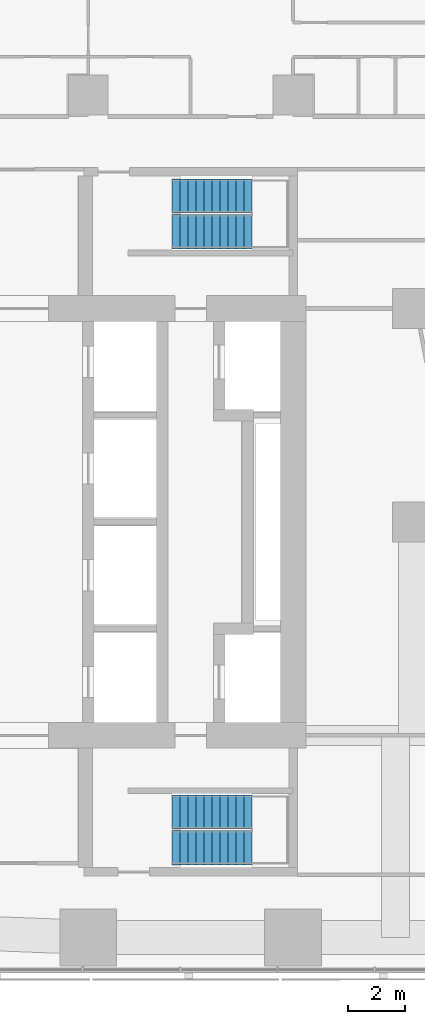
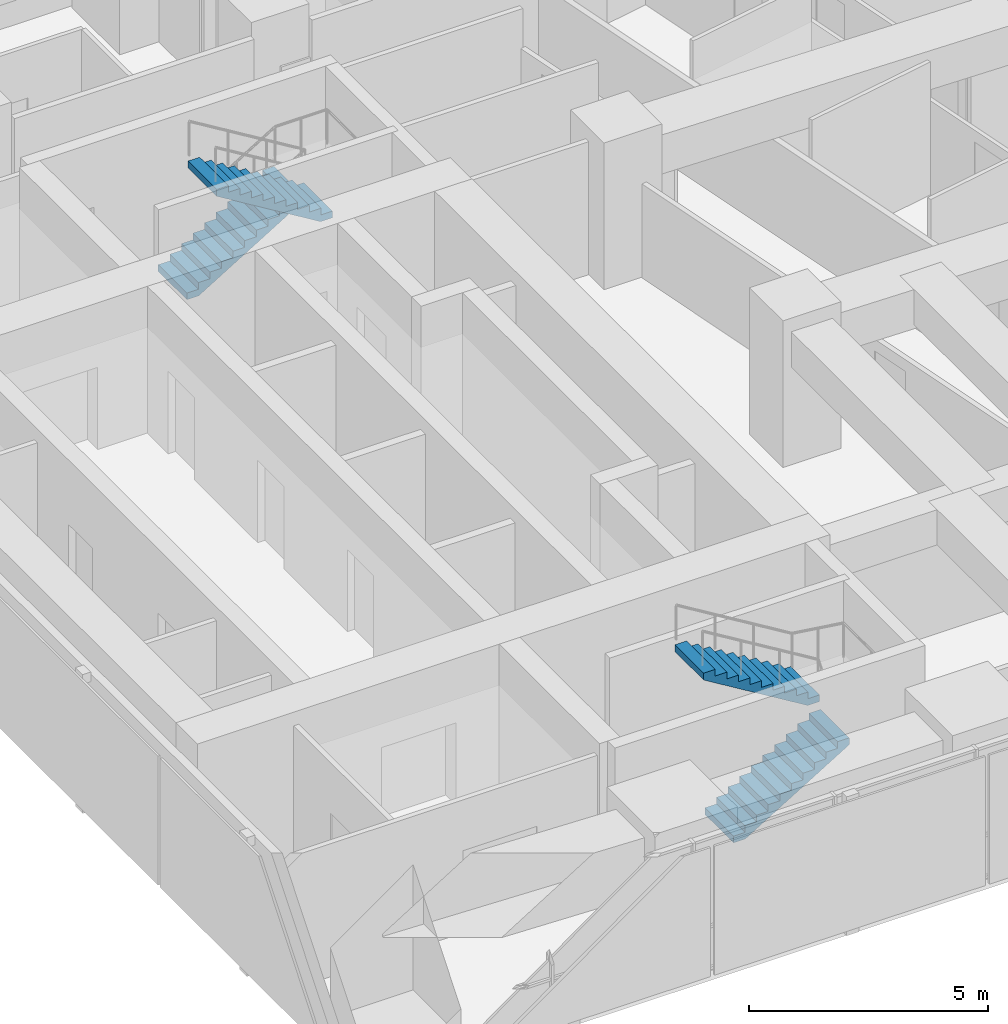
# One storey, part 9 of 10: 4 stair flights, 2 elements without a shape of their own.
"""IFC4 building model written with IfcOpenShell, lengths in metres."""

from ifc_helpers import new_model, si_unit, direction, frame, origin, place, context, subcontext, project, spatial, triangles, material, type_object, element, aggregate, save


model = new_model("IFC4")

# Units and contexts
model_context = context("Model", 3, precision=1e-05, world=origin(), true_north=direction((0.0, 1.0)))
body_context = subcontext(model_context, "Body", "Model", "MODEL_VIEW")
ifc_project = project(units=[si_unit("LENGTHUNIT", "METRE"), si_unit("AREAUNIT", "SQUARE_METRE"), si_unit("VOLUMEUNIT", "CUBIC_METRE"), si_unit("PLANEANGLEUNIT", "RADIAN"), si_unit("MASSUNIT", "GRAM", prefix="KILO")], contexts=[model_context])

# Site, building, storey
site_placement = place(None, origin())
site = spatial("IfcSite", under=ifc_project, at=site_placement, CompositionType="ELEMENT")
building_placement = place(site_placement, origin())
building = spatial("IfcBuilding", under=site, at=building_placement, Name="Sheger Commons Tower", CompositionType="ELEMENT")
storey_placement = place(building_placement, frame((0.0, 0.0, 292.85009765625)))
storey = spatial("IfcBuildingStorey", under=building, at=storey_placement, Name="L75", CompositionType="ELEMENT", Elevation=292.85009765625)

# Stair, stair flights
ifc_material_1 = material(Name="Concrete C35/45", Category="concrete")
stair_type = type_object("IfcStairType", Name="HALF-TURN STAIR 1200 RISE 3750", PredefinedType="HALF_TURN_STAIR", material=ifc_material_1)
stair_1_placement = place(storey_placement, origin())
stair_1 = element("IfcStair", 1, at=stair_1_placement, inside=storey, type_object=stair_type, Name="Stair S1 L75", PredefinedType="HALF_TURN_STAIR")
ifc_material_2 = material(Name="Concrete C35/45", Category="concrete")
stair_flight_type = type_object("IfcStairFlightType", Name="STAIR FLIGHT 1200 11 RISERS OF 170", PredefinedType="STRAIGHT", material=ifc_material_2)
stair_flight_1_placement = place(storey_placement, frame((24.550048828125, 11.050048828125, 0.0), z_axis=(0.0, 0.0, 1.0), x_axis=(1.0, 0.0, 0.0)))
stair_flight_1 = element("IfcStairFlight", 2, at=stair_flight_1_placement, type_object=stair_flight_type, Name="S1 flight 1", NumberOfRisers=11, NumberOfTreads=10, PredefinedType="STRAIGHT", RiserHeight=0.170454545, TreadLength=0.28, context=body_context, shape_type="Tessellation", body=[
    triangles([(0.0, 0.5999755859375, 0.0), (0.0, 0.5999755859375, 0.17041015625), (0.280029296875, 0.5999755859375, 0.17041015625), (0.280029296875, 0.5999755859375, 0.3408203125), (0.56005859375, 0.5999755859375, 0.3408203125), (0.56005859375, 0.5999755859375, 0.511474609375), (0.840087890625, 0.5999755859375, 0.511474609375), (0.840087890625, 0.5999755859375, 0.681884765625), (1.1201171875, 0.5999755859375, 0.681884765625), (1.1201171875, 0.5999755859375, 0.852294921875), (1.39990234375, 0.5999755859375, 0.852294921875), (1.39990234375, 0.5999755859375, 1.022705078125), (1.679931640625, 0.5999755859375, 1.022705078125), (1.679931640625, 0.5999755859375, 1.193115234375), (1.9599609375, 0.5999755859375, 1.193115234375), (1.9599609375, 0.5999755859375, 1.363525390625), (2.239990234375, 0.5999755859375, 1.363525390625), (2.239990234375, 0.5999755859375, 1.5341796875), (2.52001953125, 0.5999755859375, 1.5341796875), (2.52001953125, 0.5999755859375, 1.70458984375), (2.800048828125, 0.5999755859375, 1.70458984375), (2.800048828125, 0.5999755859375, 1.529052734375), (0.288330078125, 0.5999755859375, 0.0), (0.0, -0.5999755859375, 0.0), (0.0, -0.5999755859375, 0.17041015625), (0.280029296875, -0.5999755859375, 0.17041015625), (0.280029296875, -0.5999755859375, 0.3408203125), (0.56005859375, -0.5999755859375, 0.3408203125), (0.56005859375, -0.5999755859375, 0.511474609375), (0.840087890625, -0.5999755859375, 0.511474609375), (0.840087890625, -0.5999755859375, 0.681884765625), (1.1201171875, -0.5999755859375, 0.681884765625), (1.1201171875, -0.5999755859375, 0.852294921875), (1.39990234375, -0.5999755859375, 0.852294921875), (1.39990234375, -0.5999755859375, 1.022705078125), (1.679931640625, -0.5999755859375, 1.022705078125), (1.679931640625, -0.5999755859375, 1.193115234375), (1.9599609375, -0.5999755859375, 1.193115234375), (1.9599609375, -0.5999755859375, 1.363525390625), (2.239990234375, -0.5999755859375, 1.363525390625), (2.239990234375, -0.5999755859375, 1.5341796875), (2.52001953125, -0.5999755859375, 1.5341796875), (2.52001953125, -0.5999755859375, 1.70458984375), (2.800048828125, -0.5999755859375, 1.70458984375), (2.800048828125, -0.5999755859375, 1.529052734375), (0.288330078125, -0.5999755859375, 0.0), (0.0, 0.0, 0.085205078125), (0.1400146484375, 0.0, 0.17041015625), (0.280029296875, 0.0, 0.255615234375), (0.4200439453125, 0.0, 0.3408203125), (0.56005859375, 0.0, 0.4261474609375), (0.7000732421875, 0.0, 0.511474609375), (0.840087890625, 0.0, 0.5966796875), (0.9801025390625, 0.0, 0.681884765625), (1.1201171875, 0.0, 0.76708984375), (1.260009765625, 0.0, 0.852294921875), (1.39990234375, 0.0, 0.9375), (1.5399169921875, 0.0, 1.022705078125), (1.679931640625, 0.0, 1.10791015625), (1.8199462890625, 0.0, 1.193115234375), (1.9599609375, 0.0, 1.2783203125), (2.0999755859375, 0.0, 1.363525390625), (2.239990234375, 0.0, 1.4488525390625), (2.3800048828125, 0.0, 1.5341796875), (2.52001953125, 0.0, 1.619384765625), (2.6600341796875, 0.0, 1.70458984375), (2.800048828125, 0.0, 1.6168212890625), (1.544189453125, 0.0, 0.7645263671875), (0.1441650390625, 0.0, 0.0)], [[1, 22, 23], [24, 46, 45], [22, 20, 21], [45, 44, 43], [22, 19, 20], [45, 43, 42], [22, 18, 19], [45, 42, 41], [22, 17, 18], [45, 41, 40], [17, 15, 16], [40, 39, 38], [22, 15, 17], [45, 40, 38], [15, 13, 14], [38, 37, 36], [22, 13, 15], [45, 38, 36], [13, 11, 12], [36, 35, 34], [22, 11, 13], [45, 36, 34], [11, 9, 10], [34, 33, 32], [22, 9, 11], [45, 34, 32], [9, 7, 8], [32, 31, 30], [22, 7, 9], [45, 32, 30], [7, 5, 6], [30, 29, 28], [22, 5, 7], [45, 30, 28], [5, 3, 4], [28, 27, 26], [22, 3, 5], [45, 28, 26], [1, 3, 22], [24, 45, 26], [3, 1, 2], [26, 25, 24], [1, 47, 2], [2, 47, 25], [25, 47, 24], [24, 47, 1], [2, 48, 3], [3, 48, 26], [26, 48, 25], [25, 48, 2], [3, 49, 4], [4, 49, 27], [27, 49, 26], [26, 49, 3], [4, 50, 5], [5, 50, 28], [28, 50, 27], [27, 50, 4], [5, 51, 6], [6, 51, 29], [29, 51, 28], [28, 51, 5], [6, 52, 7], [7, 52, 30], [30, 52, 29], [29, 52, 6], [7, 53, 8], [8, 53, 31], [31, 53, 30], [30, 53, 7], [8, 54, 9], [9, 54, 32], [32, 54, 31], [31, 54, 8], [9, 55, 10], [10, 55, 33], [33, 55, 32], [32, 55, 9], [10, 56, 11], [11, 56, 34], [34, 56, 33], [33, 56, 10], [11, 57, 12], [12, 57, 35], [35, 57, 34], [34, 57, 11], [12, 58, 13], [13, 58, 36], [36, 58, 35], [35, 58, 12], [13, 59, 14], [14, 59, 37], [37, 59, 36], [36, 59, 13], [14, 60, 15], [15, 60, 38], [38, 60, 37], [37, 60, 14], [15, 61, 16], [16, 61, 39], [39, 61, 38], [38, 61, 15], [16, 62, 17], [17, 62, 40], [40, 62, 39], [39, 62, 16], [17, 63, 18], [18, 63, 41], [41, 63, 40], [40, 63, 17], [18, 64, 19], [19, 64, 42], [42, 64, 41], [41, 64, 18], [19, 65, 20], [20, 65, 43], [43, 65, 42], [42, 65, 19], [20, 66, 21], [21, 66, 44], [44, 66, 43], [43, 66, 20], [21, 67, 22], [22, 67, 45], [45, 67, 44], [44, 67, 21], [22, 68, 23], [23, 68, 46], [46, 68, 45], [45, 68, 22], [23, 69, 1], [1, 69, 24], [24, 69, 46], [46, 69, 23]], closed=True),
])
stair_flight_2_placement = place(storey_placement, frame((27.35009765625, 12.300048828125, 1.875), z_axis=(0.0, 0.0, 1.0), x_axis=(-1.0, 0.0, 0.0)))
stair_flight_2 = element("IfcStairFlight", 3, at=stair_flight_2_placement, type_object=stair_flight_type, Name="S1 flight 2", NumberOfRisers=11, NumberOfTreads=10, PredefinedType="STRAIGHT", RiserHeight=0.170454545, TreadLength=0.28, context=body_context, shape_type="Tessellation", body=[
    triangles([(0.0, 0.5999755859375, 0.0), (0.0, 0.5999755859375, 0.17041015625), (0.280029296875, 0.5999755859375, 0.17041015625), (0.280029296875, 0.5999755859375, 0.3408203125), (0.56005859375, 0.5999755859375, 0.3408203125), (0.56005859375, 0.5999755859375, 0.511474609375), (0.840087890625, 0.5999755859375, 0.511474609375), (0.840087890625, 0.5999755859375, 0.681884765625), (1.1201171875, 0.5999755859375, 0.681884765625), (1.1201171875, 0.5999755859375, 0.852294921875), (1.39990234375, 0.5999755859375, 0.852294921875), (1.39990234375, 0.5999755859375, 1.022705078125), (1.679931640625, 0.5999755859375, 1.022705078125), (1.679931640625, 0.5999755859375, 1.193115234375), (1.9599609375, 0.5999755859375, 1.193115234375), (1.9599609375, 0.5999755859375, 1.363525390625), (2.239990234375, 0.5999755859375, 1.363525390625), (2.239990234375, 0.5999755859375, 1.5341796875), (2.52001953125, 0.5999755859375, 1.5341796875), (2.52001953125, 0.5999755859375, 1.70458984375), (2.800048828125, 0.5999755859375, 1.70458984375), (2.800048828125, 0.5999755859375, 1.529052734375), (0.288330078125, 0.5999755859375, 0.0), (0.0, -0.5999755859375, 0.0), (0.0, -0.5999755859375, 0.17041015625), (0.280029296875, -0.5999755859375, 0.17041015625), (0.280029296875, -0.5999755859375, 0.3408203125), (0.56005859375, -0.5999755859375, 0.3408203125), (0.56005859375, -0.5999755859375, 0.511474609375), (0.840087890625, -0.5999755859375, 0.511474609375), (0.840087890625, -0.5999755859375, 0.681884765625), (1.1201171875, -0.5999755859375, 0.681884765625), (1.1201171875, -0.5999755859375, 0.852294921875), (1.39990234375, -0.5999755859375, 0.852294921875), (1.39990234375, -0.5999755859375, 1.022705078125), (1.679931640625, -0.5999755859375, 1.022705078125), (1.679931640625, -0.5999755859375, 1.193115234375), (1.9599609375, -0.5999755859375, 1.193115234375), (1.9599609375, -0.5999755859375, 1.363525390625), (2.239990234375, -0.5999755859375, 1.363525390625), (2.239990234375, -0.5999755859375, 1.5341796875), (2.52001953125, -0.5999755859375, 1.5341796875), (2.52001953125, -0.5999755859375, 1.70458984375), (2.800048828125, -0.5999755859375, 1.70458984375), (2.800048828125, -0.5999755859375, 1.529052734375), (0.288330078125, -0.5999755859375, 0.0), (0.0, 0.0, 0.085205078125), (0.1400146484375, 0.0, 0.17041015625), (0.280029296875, 0.0, 0.255615234375), (0.4200439453125, 0.0, 0.3408203125), (0.56005859375, 0.0, 0.4261474609375), (0.7000732421875, 0.0, 0.511474609375), (0.840087890625, 0.0, 0.5966796875), (0.9801025390625, 0.0, 0.681884765625), (1.1201171875, 0.0, 0.76708984375), (1.260009765625, 0.0, 0.852294921875), (1.39990234375, 0.0, 0.9375), (1.5399169921875, 0.0, 1.022705078125), (1.679931640625, 0.0, 1.10791015625), (1.8199462890625, 0.0, 1.193115234375), (1.9599609375, 0.0, 1.2783203125), (2.0999755859375, 0.0, 1.363525390625), (2.239990234375, 0.0, 1.4488525390625), (2.3800048828125, 0.0, 1.5341796875), (2.52001953125, 0.0, 1.619384765625), (2.6600341796875, 0.0, 1.70458984375), (2.800048828125, 0.0, 1.6168212890625), (1.544189453125, 0.0, 0.7645263671875), (0.1441650390625, 0.0, 0.0)], [[1, 22, 23], [24, 46, 45], [22, 20, 21], [45, 44, 43], [22, 19, 20], [45, 43, 42], [22, 18, 19], [45, 42, 41], [22, 17, 18], [45, 41, 40], [17, 15, 16], [40, 39, 38], [22, 15, 17], [45, 40, 38], [15, 13, 14], [38, 37, 36], [22, 13, 15], [45, 38, 36], [13, 11, 12], [36, 35, 34], [22, 11, 13], [45, 36, 34], [11, 9, 10], [34, 33, 32], [22, 9, 11], [45, 34, 32], [9, 7, 8], [32, 31, 30], [22, 7, 9], [45, 32, 30], [7, 5, 6], [30, 29, 28], [22, 5, 7], [45, 30, 28], [5, 3, 4], [28, 27, 26], [22, 3, 5], [45, 28, 26], [1, 3, 22], [24, 45, 26], [3, 1, 2], [26, 25, 24], [1, 47, 2], [2, 47, 25], [25, 47, 24], [24, 47, 1], [2, 48, 3], [3, 48, 26], [26, 48, 25], [25, 48, 2], [3, 49, 4], [4, 49, 27], [27, 49, 26], [26, 49, 3], [4, 50, 5], [5, 50, 28], [28, 50, 27], [27, 50, 4], [5, 51, 6], [6, 51, 29], [29, 51, 28], [28, 51, 5], [6, 52, 7], [7, 52, 30], [30, 52, 29], [29, 52, 6], [7, 53, 8], [8, 53, 31], [31, 53, 30], [30, 53, 7], [8, 54, 9], [9, 54, 32], [32, 54, 31], [31, 54, 8], [9, 55, 10], [10, 55, 33], [33, 55, 32], [32, 55, 9], [10, 56, 11], [11, 56, 34], [34, 56, 33], [33, 56, 10], [11, 57, 12], [12, 57, 35], [35, 57, 34], [34, 57, 11], [12, 58, 13], [13, 58, 36], [36, 58, 35], [35, 58, 12], [13, 59, 14], [14, 59, 37], [37, 59, 36], [36, 59, 13], [14, 60, 15], [15, 60, 38], [38, 60, 37], [37, 60, 14], [15, 61, 16], [16, 61, 39], [39, 61, 38], [38, 61, 15], [16, 62, 17], [17, 62, 40], [40, 62, 39], [39, 62, 16], [17, 63, 18], [18, 63, 41], [41, 63, 40], [40, 63, 17], [18, 64, 19], [19, 64, 42], [42, 64, 41], [41, 64, 18], [19, 65, 20], [20, 65, 43], [43, 65, 42], [42, 65, 19], [20, 66, 21], [21, 66, 44], [44, 66, 43], [43, 66, 20], [21, 67, 22], [22, 67, 45], [45, 67, 44], [44, 67, 21], [22, 68, 23], [23, 68, 46], [46, 68, 45], [45, 68, 22], [23, 69, 1], [1, 69, 24], [24, 69, 46], [46, 69, 23]], closed=True),
])
aggregate(stair_1, [stair_flight_1, stair_flight_2])

stair_2_placement = place(storey_placement, origin())
stair_2 = element("IfcStair", 4, at=stair_2_placement, inside=storey, type_object=stair_type, Name="Stair S2 L75", PredefinedType="HALF_TURN_STAIR")
stair_flight_3_placement = place(storey_placement, frame((24.550048828125, 33.949951171875, 0.0), z_axis=(0.0, 0.0, 1.0), x_axis=(1.0, 0.0, 0.0)))
stair_flight_3 = element("IfcStairFlight", 5, at=stair_flight_3_placement, type_object=stair_flight_type, Name="S2 flight 1", NumberOfRisers=11, NumberOfTreads=10, PredefinedType="STRAIGHT", RiserHeight=0.170454545, TreadLength=0.28, context=body_context, shape_type="Tessellation", body=[
    triangles([(0.0, 0.5999755859375, 0.0), (0.0, 0.5999755859375, 0.17041015625), (0.280029296875, 0.5999755859375, 0.17041015625), (0.280029296875, 0.5999755859375, 0.3408203125), (0.56005859375, 0.5999755859375, 0.3408203125), (0.56005859375, 0.5999755859375, 0.511474609375), (0.840087890625, 0.5999755859375, 0.511474609375), (0.840087890625, 0.5999755859375, 0.681884765625), (1.1201171875, 0.5999755859375, 0.681884765625), (1.1201171875, 0.5999755859375, 0.852294921875), (1.39990234375, 0.5999755859375, 0.852294921875), (1.39990234375, 0.5999755859375, 1.022705078125), (1.679931640625, 0.5999755859375, 1.022705078125), (1.679931640625, 0.5999755859375, 1.193115234375), (1.9599609375, 0.5999755859375, 1.193115234375), (1.9599609375, 0.5999755859375, 1.363525390625), (2.239990234375, 0.5999755859375, 1.363525390625), (2.239990234375, 0.5999755859375, 1.5341796875), (2.52001953125, 0.5999755859375, 1.5341796875), (2.52001953125, 0.5999755859375, 1.70458984375), (2.800048828125, 0.5999755859375, 1.70458984375), (2.800048828125, 0.5999755859375, 1.529052734375), (0.288330078125, 0.5999755859375, 0.0), (0.0, -0.5999755859375, 0.0), (0.0, -0.5999755859375, 0.17041015625), (0.280029296875, -0.5999755859375, 0.17041015625), (0.280029296875, -0.5999755859375, 0.3408203125), (0.56005859375, -0.5999755859375, 0.3408203125), (0.56005859375, -0.5999755859375, 0.511474609375), (0.840087890625, -0.5999755859375, 0.511474609375), (0.840087890625, -0.5999755859375, 0.681884765625), (1.1201171875, -0.5999755859375, 0.681884765625), (1.1201171875, -0.5999755859375, 0.852294921875), (1.39990234375, -0.5999755859375, 0.852294921875), (1.39990234375, -0.5999755859375, 1.022705078125), (1.679931640625, -0.5999755859375, 1.022705078125), (1.679931640625, -0.5999755859375, 1.193115234375), (1.9599609375, -0.5999755859375, 1.193115234375), (1.9599609375, -0.5999755859375, 1.363525390625), (2.239990234375, -0.5999755859375, 1.363525390625), (2.239990234375, -0.5999755859375, 1.5341796875), (2.52001953125, -0.5999755859375, 1.5341796875), (2.52001953125, -0.5999755859375, 1.70458984375), (2.800048828125, -0.5999755859375, 1.70458984375), (2.800048828125, -0.5999755859375, 1.529052734375), (0.288330078125, -0.5999755859375, 0.0), (0.0, 0.0, 0.085205078125), (0.1400146484375, 0.0, 0.17041015625), (0.280029296875, 0.0, 0.255615234375), (0.4200439453125, 0.0, 0.3408203125), (0.56005859375, 0.0, 0.4261474609375), (0.7000732421875, 0.0, 0.511474609375), (0.840087890625, 0.0, 0.5966796875), (0.9801025390625, 0.0, 0.681884765625), (1.1201171875, 0.0, 0.76708984375), (1.260009765625, 0.0, 0.852294921875), (1.39990234375, 0.0, 0.9375), (1.5399169921875, 0.0, 1.022705078125), (1.679931640625, 0.0, 1.10791015625), (1.8199462890625, 0.0, 1.193115234375), (1.9599609375, 0.0, 1.2783203125), (2.0999755859375, 0.0, 1.363525390625), (2.239990234375, 0.0, 1.4488525390625), (2.3800048828125, 0.0, 1.5341796875), (2.52001953125, 0.0, 1.619384765625), (2.6600341796875, 0.0, 1.70458984375), (2.800048828125, 0.0, 1.6168212890625), (1.544189453125, 0.0, 0.7645263671875), (0.1441650390625, 0.0, 0.0)], [[1, 22, 23], [24, 46, 45], [22, 20, 21], [45, 44, 43], [22, 19, 20], [45, 43, 42], [22, 18, 19], [45, 42, 41], [22, 17, 18], [45, 41, 40], [17, 15, 16], [40, 39, 38], [22, 15, 17], [45, 40, 38], [15, 13, 14], [38, 37, 36], [22, 13, 15], [45, 38, 36], [13, 11, 12], [36, 35, 34], [22, 11, 13], [45, 36, 34], [11, 9, 10], [34, 33, 32], [22, 9, 11], [45, 34, 32], [9, 7, 8], [32, 31, 30], [22, 7, 9], [45, 32, 30], [7, 5, 6], [30, 29, 28], [22, 5, 7], [45, 30, 28], [5, 3, 4], [28, 27, 26], [22, 3, 5], [45, 28, 26], [1, 3, 22], [24, 45, 26], [3, 1, 2], [26, 25, 24], [1, 47, 2], [2, 47, 25], [25, 47, 24], [24, 47, 1], [2, 48, 3], [3, 48, 26], [26, 48, 25], [25, 48, 2], [3, 49, 4], [4, 49, 27], [27, 49, 26], [26, 49, 3], [4, 50, 5], [5, 50, 28], [28, 50, 27], [27, 50, 4], [5, 51, 6], [6, 51, 29], [29, 51, 28], [28, 51, 5], [6, 52, 7], [7, 52, 30], [30, 52, 29], [29, 52, 6], [7, 53, 8], [8, 53, 31], [31, 53, 30], [30, 53, 7], [8, 54, 9], [9, 54, 32], [32, 54, 31], [31, 54, 8], [9, 55, 10], [10, 55, 33], [33, 55, 32], [32, 55, 9], [10, 56, 11], [11, 56, 34], [34, 56, 33], [33, 56, 10], [11, 57, 12], [12, 57, 35], [35, 57, 34], [34, 57, 11], [12, 58, 13], [13, 58, 36], [36, 58, 35], [35, 58, 12], [13, 59, 14], [14, 59, 37], [37, 59, 36], [36, 59, 13], [14, 60, 15], [15, 60, 38], [38, 60, 37], [37, 60, 14], [15, 61, 16], [16, 61, 39], [39, 61, 38], [38, 61, 15], [16, 62, 17], [17, 62, 40], [40, 62, 39], [39, 62, 16], [17, 63, 18], [18, 63, 41], [41, 63, 40], [40, 63, 17], [18, 64, 19], [19, 64, 42], [42, 64, 41], [41, 64, 18], [19, 65, 20], [20, 65, 43], [43, 65, 42], [42, 65, 19], [20, 66, 21], [21, 66, 44], [44, 66, 43], [43, 66, 20], [21, 67, 22], [22, 67, 45], [45, 67, 44], [44, 67, 21], [22, 68, 23], [23, 68, 46], [46, 68, 45], [45, 68, 22], [23, 69, 1], [1, 69, 24], [24, 69, 46], [46, 69, 23]], closed=True),
])
stair_flight_4_placement = place(storey_placement, frame((27.35009765625, 32.699951171875, 1.875), z_axis=(0.0, 0.0, 1.0), x_axis=(-1.0, 0.0, 0.0)))
stair_flight_4 = element("IfcStairFlight", 6, at=stair_flight_4_placement, type_object=stair_flight_type, Name="S2 flight 2", NumberOfRisers=11, NumberOfTreads=10, PredefinedType="STRAIGHT", RiserHeight=0.170454545, TreadLength=0.28, context=body_context, shape_type="Tessellation", body=[
    triangles([(0.0, 0.5999755859375, 0.0), (0.0, 0.5999755859375, 0.17041015625), (0.280029296875, 0.5999755859375, 0.17041015625), (0.280029296875, 0.5999755859375, 0.3408203125), (0.56005859375, 0.5999755859375, 0.3408203125), (0.56005859375, 0.5999755859375, 0.511474609375), (0.840087890625, 0.5999755859375, 0.511474609375), (0.840087890625, 0.5999755859375, 0.681884765625), (1.1201171875, 0.5999755859375, 0.681884765625), (1.1201171875, 0.5999755859375, 0.852294921875), (1.39990234375, 0.5999755859375, 0.852294921875), (1.39990234375, 0.5999755859375, 1.022705078125), (1.679931640625, 0.5999755859375, 1.022705078125), (1.679931640625, 0.5999755859375, 1.193115234375), (1.9599609375, 0.5999755859375, 1.193115234375), (1.9599609375, 0.5999755859375, 1.363525390625), (2.239990234375, 0.5999755859375, 1.363525390625), (2.239990234375, 0.5999755859375, 1.5341796875), (2.52001953125, 0.5999755859375, 1.5341796875), (2.52001953125, 0.5999755859375, 1.70458984375), (2.800048828125, 0.5999755859375, 1.70458984375), (2.800048828125, 0.5999755859375, 1.529052734375), (0.288330078125, 0.5999755859375, 0.0), (0.0, -0.5999755859375, 0.0), (0.0, -0.5999755859375, 0.17041015625), (0.280029296875, -0.5999755859375, 0.17041015625), (0.280029296875, -0.5999755859375, 0.3408203125), (0.56005859375, -0.5999755859375, 0.3408203125), (0.56005859375, -0.5999755859375, 0.511474609375), (0.840087890625, -0.5999755859375, 0.511474609375), (0.840087890625, -0.5999755859375, 0.681884765625), (1.1201171875, -0.5999755859375, 0.681884765625), (1.1201171875, -0.5999755859375, 0.852294921875), (1.39990234375, -0.5999755859375, 0.852294921875), (1.39990234375, -0.5999755859375, 1.022705078125), (1.679931640625, -0.5999755859375, 1.022705078125), (1.679931640625, -0.5999755859375, 1.193115234375), (1.9599609375, -0.5999755859375, 1.193115234375), (1.9599609375, -0.5999755859375, 1.363525390625), (2.239990234375, -0.5999755859375, 1.363525390625), (2.239990234375, -0.5999755859375, 1.5341796875), (2.52001953125, -0.5999755859375, 1.5341796875), (2.52001953125, -0.5999755859375, 1.70458984375), (2.800048828125, -0.5999755859375, 1.70458984375), (2.800048828125, -0.5999755859375, 1.529052734375), (0.288330078125, -0.5999755859375, 0.0), (0.0, 0.0, 0.085205078125), (0.1400146484375, 0.0, 0.17041015625), (0.280029296875, 0.0, 0.255615234375), (0.4200439453125, 0.0, 0.3408203125), (0.56005859375, 0.0, 0.4261474609375), (0.7000732421875, 0.0, 0.511474609375), (0.840087890625, 0.0, 0.5966796875), (0.9801025390625, 0.0, 0.681884765625), (1.1201171875, 0.0, 0.76708984375), (1.260009765625, 0.0, 0.852294921875), (1.39990234375, 0.0, 0.9375), (1.5399169921875, 0.0, 1.022705078125), (1.679931640625, 0.0, 1.10791015625), (1.8199462890625, 0.0, 1.193115234375), (1.9599609375, 0.0, 1.2783203125), (2.0999755859375, 0.0, 1.363525390625), (2.239990234375, 0.0, 1.4488525390625), (2.3800048828125, 0.0, 1.5341796875), (2.52001953125, 0.0, 1.619384765625), (2.6600341796875, 0.0, 1.70458984375), (2.800048828125, 0.0, 1.6168212890625), (1.544189453125, 0.0, 0.7645263671875), (0.1441650390625, 0.0, 0.0)], [[1, 22, 23], [24, 46, 45], [22, 20, 21], [45, 44, 43], [22, 19, 20], [45, 43, 42], [22, 18, 19], [45, 42, 41], [22, 17, 18], [45, 41, 40], [17, 15, 16], [40, 39, 38], [22, 15, 17], [45, 40, 38], [15, 13, 14], [38, 37, 36], [22, 13, 15], [45, 38, 36], [13, 11, 12], [36, 35, 34], [22, 11, 13], [45, 36, 34], [11, 9, 10], [34, 33, 32], [22, 9, 11], [45, 34, 32], [9, 7, 8], [32, 31, 30], [22, 7, 9], [45, 32, 30], [7, 5, 6], [30, 29, 28], [22, 5, 7], [45, 30, 28], [5, 3, 4], [28, 27, 26], [22, 3, 5], [45, 28, 26], [1, 3, 22], [24, 45, 26], [3, 1, 2], [26, 25, 24], [1, 47, 2], [2, 47, 25], [25, 47, 24], [24, 47, 1], [2, 48, 3], [3, 48, 26], [26, 48, 25], [25, 48, 2], [3, 49, 4], [4, 49, 27], [27, 49, 26], [26, 49, 3], [4, 50, 5], [5, 50, 28], [28, 50, 27], [27, 50, 4], [5, 51, 6], [6, 51, 29], [29, 51, 28], [28, 51, 5], [6, 52, 7], [7, 52, 30], [30, 52, 29], [29, 52, 6], [7, 53, 8], [8, 53, 31], [31, 53, 30], [30, 53, 7], [8, 54, 9], [9, 54, 32], [32, 54, 31], [31, 54, 8], [9, 55, 10], [10, 55, 33], [33, 55, 32], [32, 55, 9], [10, 56, 11], [11, 56, 34], [34, 56, 33], [33, 56, 10], [11, 57, 12], [12, 57, 35], [35, 57, 34], [34, 57, 11], [12, 58, 13], [13, 58, 36], [36, 58, 35], [35, 58, 12], [13, 59, 14], [14, 59, 37], [37, 59, 36], [36, 59, 13], [14, 60, 15], [15, 60, 38], [38, 60, 37], [37, 60, 14], [15, 61, 16], [16, 61, 39], [39, 61, 38], [38, 61, 15], [16, 62, 17], [17, 62, 40], [40, 62, 39], [39, 62, 16], [17, 63, 18], [18, 63, 41], [41, 63, 40], [40, 63, 17], [18, 64, 19], [19, 64, 42], [42, 64, 41], [41, 64, 18], [19, 65, 20], [20, 65, 43], [43, 65, 42], [42, 65, 19], [20, 66, 21], [21, 66, 44], [44, 66, 43], [43, 66, 20], [21, 67, 22], [22, 67, 45], [45, 67, 44], [44, 67, 21], [22, 68, 23], [23, 68, 46], [46, 68, 45], [45, 68, 22], [23, 69, 1], [1, 69, 24], [24, 69, 46], [46, 69, 23]], closed=True),
])
aggregate(stair_2, [stair_flight_3, stair_flight_4])

save(model, "model.ifc")
